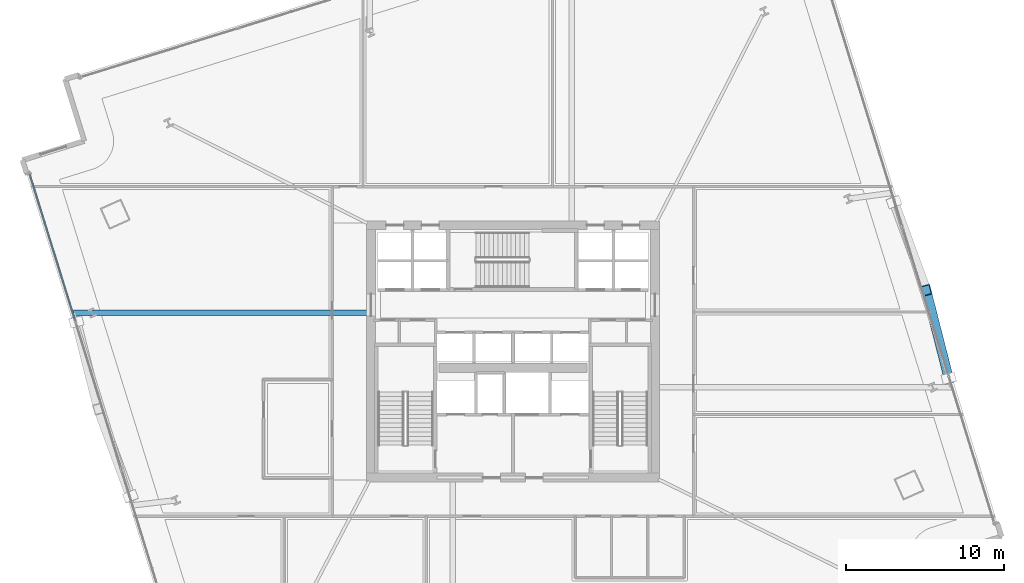
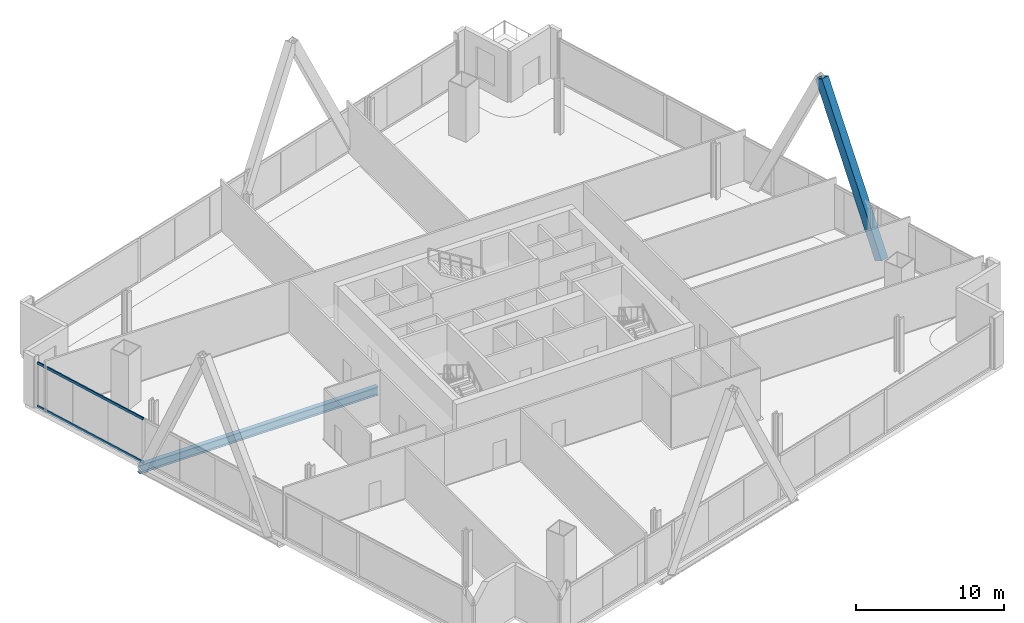
# One storey, part 9 of 26: 3 members, 1 beam, 1 element without a shape of its own.
"""IFC4 building model written with IfcOpenShell, lengths in metres."""

from ifc_helpers import new_model, si_unit, direction, frame, origin, origin_2d, place, context, subcontext, project, spatial, hollow_rectangle, i_section, extrude, material, material_profile, profile_set, type_object, element, aggregate, save


model = new_model("IFC4")

# Units and contexts
model_context = context("Model", 3, precision=1e-05, world=origin(), true_north=direction((0.0, 1.0)))
body_context = subcontext(model_context, "Body", "Model", "MODEL_VIEW")
ifc_project = project(units=[si_unit("LENGTHUNIT", "METRE"), si_unit("AREAUNIT", "SQUARE_METRE"), si_unit("VOLUMEUNIT", "CUBIC_METRE"), si_unit("PLANEANGLEUNIT", "RADIAN"), si_unit("MASSUNIT", "GRAM", prefix="KILO")], contexts=[model_context])

# Site, building, storey
site_placement = place(None, origin())
site = spatial("IfcSite", under=ifc_project, at=site_placement, CompositionType="ELEMENT")
building_placement = place(site_placement, origin())
building = spatial("IfcBuilding", under=site, at=building_placement, Name="Haldenkirk Collegiate Tower", CompositionType="ELEMENT")
storey_placement = place(building_placement, frame((0.0, 0.0, 85.949951171875)))
storey = spatial("IfcBuildingStorey", under=building, at=storey_placement, Name="L20", CompositionType="ELEMENT", Elevation=85.949951171875)

# Beam
ifc_material_1 = material(Name="Steel ASTM A992 Grade 50", Category="steel")
ifc_material_profile_1 = material_profile(ifc_material_1, i_section(OverallWidth=0.35498046875, OverallDepth=0.696044921875, WebThickness=0.015380859375, FlangeThickness=0.02490234375, at=origin_2d()), Name="W27X146")
ifc_profile_set_1 = profile_set([ifc_material_profile_1], Name="Steel ASTM A992 Grade 50")
beam_type = type_object("IfcBeamType", Name="BM-GIRDER-W27X146", PredefinedType="BEAM", material=ifc_profile_set_1)
beam_placement = place(storey_placement, frame((8.144287109375, 28.436767578125, -0.758056640625), z_axis=(1.0, 0.0, 0.0), x_axis=(0.0, 1.0, 0.0)))
element("IfcBeam", 1, at=beam_placement, inside=storey, type_object=beam_type, Name="L20 primary floor girder 14", PredefinedType="BEAM", context=body_context, shape_type="SweptSolid", body=[
    extrude(i_section(OverallWidth=0.35498046875, OverallDepth=0.696044921875, WebThickness=0.015380859375, FlangeThickness=0.02490234375, at=origin_2d()), origin(), (0.0, 0.0, 1.0), 18.600830078125),
])

# Curtain wall, members
ifc_material_2 = material(Name="Anodised architectural bronze aluminium", Category="aluminium")
curtain_wall_type = type_object("IfcCurtainWallType", Name="CW-SYS4-SKYGARDEN", PredefinedType="USERDEFINED", material=ifc_material_2)
curtain_wall_placement = place(storey_placement, origin())
curtain_wall = element("IfcCurtainWall", 2, at=curtain_wall_placement, inside=storey, type_object=curtain_wall_type, Name="L20 Sky-garden tall bronze curtain wall", ObjectType="UNITISED CURTAIN WALL", PredefinedType="USERDEFINED")
ifc_material_profile_2 = material_profile(ifc_material_2, hollow_rectangle(XDim=0.090087890625, YDim=0.2099609375, WallThickness=0.0048828125, at=origin_2d()), Name="CW-TRN-04")
ifc_profile_set_2 = profile_set([ifc_material_profile_2], Name="Anodised architectural bronze aluminium")
member_type_1 = type_object("IfcMemberType", Name="CW-TRN-04", PredefinedType="USERDEFINED", material=ifc_profile_set_2)
member_1_placement = place(storey_placement, frame((8.252197265625, 27.95458984375, 0.045166015625), z_axis=(-0.296535955914, 0.955021689204, 0.0), x_axis=(-0.955021689204, -0.296535955914, 0.0)))
member_1 = element("IfcMember", 3, at=member_1_placement, type_object=member_type_1, Name="CW-04 transom 4.1", ObjectType="TRANSOM", PredefinedType="USERDEFINED", context=body_context, shape_type="SweptSolid", body=[
    extrude(hollow_rectangle(XDim=0.090087890625, YDim=0.2099609375, WallThickness=0.0048828125, at=origin_2d()), origin(), (0.0, 0.0, 1.0), 9.715087890625),
])
member_2_placement = place(storey_placement, frame((8.252197265625, 27.95458984375, 3.60595703125), z_axis=(-0.296535955914, 0.955021689204, 0.0), x_axis=(-0.955021689204, -0.296535955914, 0.0)))
member_2 = element("IfcMember", 4, at=member_2_placement, type_object=member_type_1, Name="CW-04 transom 4.2", ObjectType="TRANSOM", PredefinedType="USERDEFINED", context=body_context, shape_type="SweptSolid", body=[
    extrude(hollow_rectangle(XDim=0.090087890625, YDim=0.2099609375, WallThickness=0.0048828125, at=origin_2d()), origin(), (0.0, 0.0, 1.0), 9.715087890625),
])
aggregate(curtain_wall, [member_1, member_2])

# Member
ifc_material_3 = material(Name="Steel ASTM A572 Grade 50", Category="steel")
ifc_material_profile_3 = material_profile(ifc_material_3, hollow_rectangle(XDim=0.60009765625, YDim=0.719970703125, WallThickness=0.044921875, at=origin_2d()), Name="BOX720X600X45")
ifc_profile_set_3 = profile_set([ifc_material_profile_3], Name="Steel ASTM A572 Grade 50")
member_type_2 = type_object("IfcMemberType", Name="MBR-MEGABRACE-BOX720X600X45", PredefinedType="BRACE", material=ifc_profile_set_3)
member_3_placement = place(storey_placement, frame((63.626708984375, 24.30029296875, -0.419921875), z_axis=(-0.106304252596, 0.41583936563, 0.903203757672), x_axis=(-0.968843672673, -0.247673046419, 0.0)))
element("IfcMember", 5, at=member_3_placement, inside=storey, type_object=member_type_2, Name="Perimeter Mega Brace Z2 L20-L22 EL", PredefinedType="BRACE", context=body_context, shape_type="SweptSolid", body=[
    extrude(hollow_rectangle(XDim=0.60009765625, YDim=0.719970703125, WallThickness=0.044921875, at=origin_2d()), origin(), (0.0, 0.0, 1.0), 13.40771484375),
])

save(model, "model.ifc")
